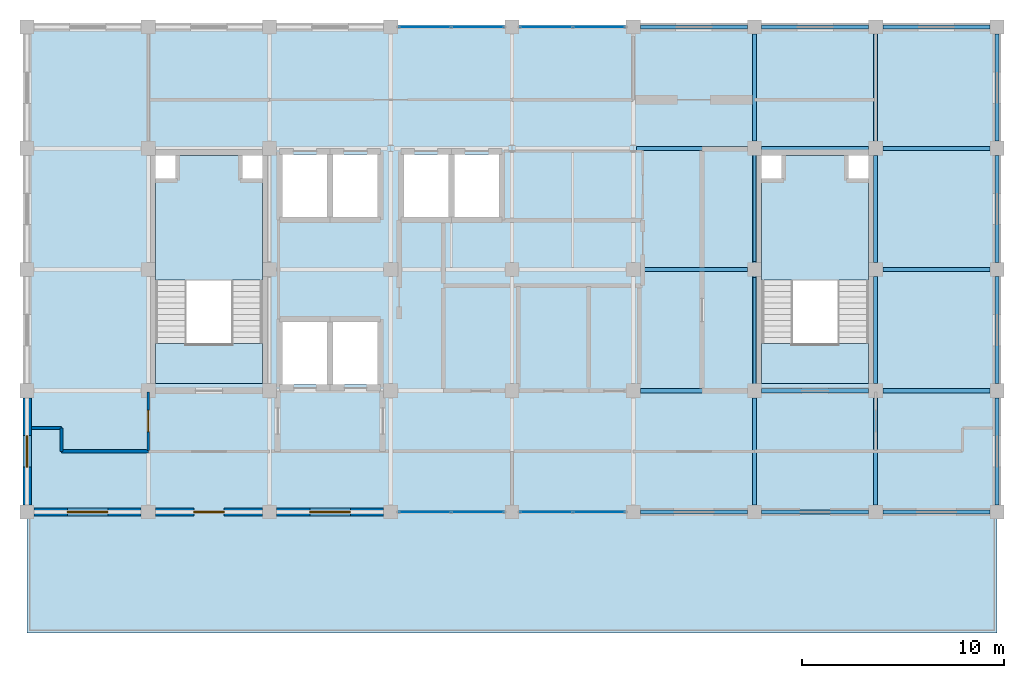
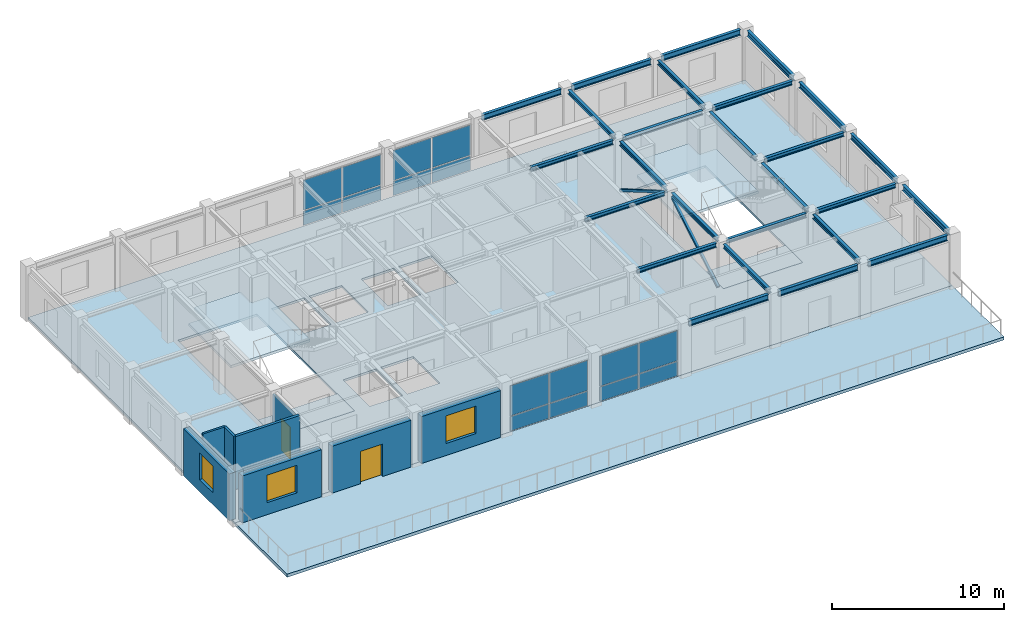
# One storey, part 7 of 11: 26 beams, 16 plates, 8 walls, 6 slabs, 3 windows, 2 doors, 2 members, 5 openings, 6 elements without a shape of their own.
"""IFC4 building model written with IfcOpenShell, lengths in metres."""

import ifcopenshell
import ifcopenshell.guid

model = None  # the IFC model being written
_history = None  # IfcOwnerHistory: only IFC2X3 demands one
_inside = {}  # id of a spatial element -> (the spatial element, [elements in it])
_under = {}  # id of a project, library or spatial element -> (it, [spatial elements below it])
_declared = {}  # id of a project -> (the project, [libraries it declares])
_typed = {}  # id of a type object -> (the type object, [elements of that type])
_made_of = {}  # id of a material, layer set ... -> (it, [elements and type objects made of it])


def new_model(schema):
    """Start an empty IFC model of exactly this schema.

    Asked for "IFC4X3", IfcOpenShell would pick the latest addendum, in which some entities
    have other attributes; the version numbers below select the first issue.
    IFC2X3 requires an IfcOwnerHistory on every rooted entity: one is made here for all.
    """
    global model, _history
    if schema == "IFC4X3":
        model = ifcopenshell.file(schema_version=(4, 3, 0, 0))
    else:
        model = ifcopenshell.file(schema=schema)
    _inside.clear()
    _under.clear()
    _declared.clear()
    _typed.clear()
    _made_of.clear()
    _history = None
    if model.schema == "IFC2X3":
        org = make("IfcOrganization", Name="unknown")
        user = make(
            "IfcPersonAndOrganization",
            ThePerson=make("IfcPerson", FamilyName="unknown"),
            TheOrganization=org,
        )
        app = make(
            "IfcApplication",
            ApplicationDeveloper=org,
            Version="unknown",
            ApplicationFullName="unknown",
            ApplicationIdentifier="unknown",
        )
        _history = make(
            "IfcOwnerHistory",
            OwningUser=user,
            OwningApplication=app,
            ChangeAction="ADDED",
            CreationDate=0,
        )
    return model


def make(cls, **values):
    """One entity of the class cls with the attributes given. An attribute that is None is left unset."""
    return model.create_entity(
        cls, **{name: value for name, value in values.items() if value is not None}
    )


def rooted(cls, **values):
    """An entity with a GlobalId (a new one), such as an element, a storey or a relation."""
    return make(cls, GlobalId=ifcopenshell.guid.new(), OwnerHistory=_history, **values)


def si_unit(unit_type, name, prefix=None):
    """IfcSIUnit, for example si_unit("LENGTHUNIT", "METRE", prefix="MILLI")."""
    return make("IfcSIUnit", UnitType=unit_type, Prefix=prefix, Name=name)


def assignment(units):
    """IfcUnitAssignment: the units of a project."""
    return None if units is None else make("IfcUnitAssignment", Units=units)


def point(xyz):
    """IfcCartesianPoint."""
    return None if xyz is None else make("IfcCartesianPoint", Coordinates=xyz)


def direction(xyz):
    """IfcDirection."""
    return None if xyz is None else make("IfcDirection", DirectionRatios=xyz)


def frame(location, z_axis=None, x_axis=None):
    """IfcAxis2Placement3D, a coordinate frame: its origin and axes. An axis left out is left unset."""
    return make(
        "IfcAxis2Placement3D",
        Location=point(location),
        Axis=direction(z_axis),
        RefDirection=direction(x_axis),
    )


def frame_2d(location, x_axis=None):
    """IfcAxis2Placement2D, a coordinate frame in the plane: its origin and x axis."""
    return make(
        "IfcAxis2Placement2D", Location=point(location), RefDirection=direction(x_axis)
    )


def origin():
    """The frame at (0, 0, 0) with its axes left unset."""
    return frame((0.0, 0.0, 0.0))


def origin_2d():
    """The frame at (0, 0) in the plane with its x axis left unset."""
    return frame_2d((0.0, 0.0))


def place(relative_to, where):
    """IfcLocalPlacement: puts the frame where relative to a parent placement (None: the world)."""
    return make(
        "IfcLocalPlacement", PlacementRelTo=relative_to, RelativePlacement=where
    )


def context(
    kind, dimensions, precision=None, world=None, true_north=None, identifier=None
):
    """IfcGeometricRepresentationContext, for example the 3D "Model" context."""
    return make(
        "IfcGeometricRepresentationContext",
        ContextIdentifier=identifier,
        ContextType=kind,
        CoordinateSpaceDimension=dimensions,
        Precision=precision,
        WorldCoordinateSystem=world,
        TrueNorth=true_north,
    )


def subcontext(parent, identifier, kind, view, scale=None):
    """IfcGeometricRepresentationSubContext, for example "Body" below "Model"."""
    return make(
        "IfcGeometricRepresentationSubContext",
        ContextIdentifier=identifier,
        ContextType=kind,
        ParentContext=parent,
        TargetScale=scale,
        TargetView=view,
    )


def project(units=None, contexts=None):
    """IfcProject with its units and contexts."""
    return rooted(
        "IfcProject",
        Name="project",
        RepresentationContexts=contexts,
        UnitsInContext=assignment(units),
    )


def spatial(cls, under=None, at=None, **own):
    """A site, building, storey or space (cls), placed at a placement, below another one or the project."""
    s = rooted(cls, ObjectPlacement=at, **own)
    if under is not None:
        _under.setdefault(under.id(), (under, []))[1].append(s)
    return s


def polyline(points):
    """IfcPolyline through the points."""
    return make("IfcPolyline", Points=[point(p) for p in points])


def profile(cls, at=None, kind="AREA", **sizes):
    """A parametric profile (cls). Its sizes go by their IFC names, for example OverallWidth=200.0."""
    return make(cls, ProfileType=kind, Position=at, **sizes)


def rectangle(**sizes):
    """IfcRectangleProfileDef."""
    return profile("IfcRectangleProfileDef", **sizes)


def hollow_rectangle(**sizes):
    """IfcRectangleHollowProfileDef."""
    return profile("IfcRectangleHollowProfileDef", **sizes)


def i_section(**sizes):
    """IfcIShapeProfileDef."""
    return profile("IfcIShapeProfileDef", **sizes)


def outline(outer, holes=None, kind="AREA"):
    """IfcArbitraryClosedProfileDef: a profile drawn as a closed curve; with holes, ...WithVoids."""
    if holes is None:
        return make("IfcArbitraryClosedProfileDef", ProfileType=kind, OuterCurve=outer)
    return make(
        "IfcArbitraryProfileDefWithVoids",
        ProfileType=kind,
        OuterCurve=outer,
        InnerCurves=holes,
    )


def extrude(swept, where, along, depth):
    """IfcExtrudedAreaSolid: the profile swept, set in the frame where, extruded along a direction by depth."""
    return make(
        "IfcExtrudedAreaSolid",
        SweptArea=swept,
        Position=where,
        ExtrudedDirection=direction(along),
        Depth=depth,
    )


def shape(context_of_items, identifier, shape_type, items):
    """IfcShapeRepresentation: the items that make up one representation, for example the "Body"."""
    return make(
        "IfcShapeRepresentation",
        ContextOfItems=context_of_items,
        RepresentationIdentifier=identifier,
        RepresentationType=shape_type,
        Items=items,
    )


def material(Name=None, Category=None):
    """IfcMaterial."""
    return make("IfcMaterial", Name=Name, Category=Category)


def layer(
    of_material, thickness, ventilated=None, Name=None, Category=None, Priority=None
):
    """IfcMaterialLayer: one layer of a wall or slab, of a material (None: an air gap)."""
    return make(
        "IfcMaterialLayer",
        Material=of_material,
        LayerThickness=thickness,
        IsVentilated=ventilated,
        Name=Name,
        Category=Category,
        Priority=Priority,
    )


def layer_set(layers, Name=None):
    """IfcMaterialLayerSet."""
    return make("IfcMaterialLayerSet", MaterialLayers=layers, LayerSetName=Name)


def material_profile(
    of_material, cross_section, Name=None, Category=None, Priority=None
):
    """IfcMaterialProfile: a cross section and its material."""
    return make(
        "IfcMaterialProfile",
        Name=Name,
        Material=of_material,
        Profile=cross_section,
        Priority=Priority,
        Category=Category,
    )


def profile_set(profiles, Name=None, composite=None):
    """IfcMaterialProfileSet."""
    return make(
        "IfcMaterialProfileSet",
        Name=Name,
        MaterialProfiles=profiles,
        CompositeProfile=composite,
    )


def made_of(thing, what):
    """Note that an element or type object is made of a material, layer set ...; save() writes the relation."""
    if what is not None:
        _made_of.setdefault(what.id(), (what, []))[1].append(thing)
    return thing


def type_object(cls, material=None, **own):
    """A type object (cls), such as IfcWallType, which elements share."""
    return made_of(rooted(cls, **own), material)


def element(
    cls,
    number,
    at=None,
    inside=None,
    cuts=None,
    type_object=None,
    material=None,
    context=None,
    identifier="Body",
    shape_type=None,
    held_by="IfcProductDefinitionShape",
    body=None,
    shapes=None,
    **own,
):
    """One element of the class cls, such as IfcWall. Its Tag is "e" and its number.

    at: its placement. inside: the storey or other place that contains it. cuts: it is an
    opening in that element (IfcRelVoidsElement). A single representation is given by context,
    identifier, shape_type and body (its items); several are given by shapes. held_by: the class
    of the entity that holds the representations. save() writes the other relations.
    """
    e = rooted(cls, Tag="e%d" % number, ObjectPlacement=at, **own)
    if body is not None:
        shapes = [shape(context, identifier, shape_type, body)]
    if shapes is not None:
        e.Representation = make(held_by, Representations=shapes)
    if inside is not None:
        _inside.setdefault(inside.id(), (inside, []))[1].append(e)
    if cuts is not None:
        rooted(
            "IfcRelVoidsElement", RelatingBuildingElement=cuts, RelatedOpeningElement=e
        )
    if type_object is not None:
        _typed.setdefault(type_object.id(), (type_object, []))[1].append(e)
    return made_of(e, material)


def fill(opening, filler):
    """IfcRelFillsElement: the door or window that sits in an opening."""
    return rooted(
        "IfcRelFillsElement",
        RelatingOpeningElement=opening,
        RelatedBuildingElement=filler,
    )


def aggregate(whole, parts):
    """IfcRelAggregates: a whole, such as a stair, and the parts it consists of."""
    return rooted("IfcRelAggregates", RelatingObject=whole, RelatedObjects=parts)


def save(model, path):
    """Write the relations noted so far, then the file.

    IfcRelAggregates (storeys below a building ...), IfcRelContainedInSpatialStructure (elements
    in a storey), IfcRelDefinesByType, IfcRelAssociatesMaterial and IfcRelDeclares: one each for
    every whole, place, type object, material and project.
    """
    for whole, parts in _under.values():
        aggregate(whole, parts)
    for where, things in _inside.values():
        rooted(
            "IfcRelContainedInSpatialStructure",
            RelatedElements=things,
            RelatingStructure=where,
        )
    for kind, things in _typed.values():
        rooted("IfcRelDefinesByType", RelatedObjects=things, RelatingType=kind)
    for what, things in _made_of.values():
        rooted("IfcRelAssociatesMaterial", RelatedObjects=things, RelatingMaterial=what)
    for by, libraries in _declared.values():
        rooted("IfcRelDeclares", RelatingContext=by, RelatedDefinitions=libraries)
    model.write(path)


model = new_model("IFC4")

# Units and contexts
model_context = context("Model", 3, precision=1e-05, world=origin(), true_north=direction((0.0, 1.0)))
body_context = subcontext(model_context, "Body", "Model", "MODEL_VIEW")
ifc_project = project(units=[si_unit("LENGTHUNIT", "METRE"), si_unit("AREAUNIT", "SQUARE_METRE"), si_unit("VOLUMEUNIT", "CUBIC_METRE"), si_unit("PLANEANGLEUNIT", "RADIAN"), si_unit("MASSUNIT", "GRAM", prefix="KILO")], contexts=[model_context])

# Site, building, storey
site_placement = place(None, origin())
site = spatial("IfcSite", under=ifc_project, at=site_placement, CompositionType="ELEMENT")
building_placement = place(site_placement, origin())
building = spatial("IfcBuilding", under=site, at=building_placement, Name="Zlatovratsky Civic Hall", CompositionType="ELEMENT")
storey_placement = place(building_placement, frame((0.0, 0.0, 52.199951171875)))
storey = spatial("IfcBuildingStorey", under=building, at=storey_placement, Name="L13", CompositionType="ELEMENT", Elevation=52.199951171875)

# Beams
ifc_material_1 = material(Name="Steel S355", Category="steel")
ifc_material_profile_1 = material_profile(ifc_material_1, i_section(OverallWidth=0.199951171875, OverallDepth=0.39990234375, WebThickness=0.008056640625, FlangeThickness=0.012939453125, FilletRadius=0.014892578125, at=origin_2d()), Name="40B2")
ifc_profile_set_1 = profile_set([ifc_material_profile_1], Name="Steel S355")
beam_type_1 = type_object("IfcBeamType", Name="Beam_Spandrel_40B2", PredefinedType="SPANDREL", material=ifc_profile_set_1)
for number, where, z_axis, x_axis, name in (
    (1, (90.35009765625, 78.0, 3.5400390625), (1.0, 0.0, 0.0), (0.0, 1.0, 0.0), "BM-4894"),
    (2, (96.35009765625, 78.0, 3.5400390625), (1.0, 0.0, 0.0), (0.0, 1.0, 0.0), "BM-4895"),
    (3, (102.35009765625, 78.0, 3.5400390625), (1.0, 0.0, 0.0), (0.0, 1.0, 0.0), "BM-4896"),
    (4, (90.35009765625, 102.0, 3.5400390625), (1.0, 0.0, 0.0), (0.0, 1.0, 0.0), "BM-4924"),
    (5, (96.35009765625, 102.0, 3.5400390625), (1.0, 0.0, 0.0), (0.0, 1.0, 0.0), "BM-4925"),
    (6, (102.35009765625, 102.0, 3.5400390625), (1.0, 0.0, 0.0), (0.0, 1.0, 0.0), "BM-4926"),
    (7, (108.0, 78.35009765625, 3.5400390625), (0.0, 1.0, 0.0), (-1.0, 0.0, 0.0), "BM-4959"),
    (8, (108.0, 84.35009765625, 3.5400390625), (0.0, 1.0, 0.0), (-1.0, 0.0, 0.0), "BM-4960"),
    (9, (108.0, 90.35009765625, 3.5400390625), (0.0, 1.0, 0.0), (-1.0, 0.0, 0.0), "BM-4961"),
    (10, (108.0, 96.35009765625, 3.5400390625), (0.0, 1.0, 0.0), (-1.0, 0.0, 0.0), "BM-4962"),
):
    element("IfcBeam", number, at=place(storey_placement, frame(where, z_axis=z_axis, x_axis=x_axis)), inside=storey, type_object=beam_type_1, Name=name, PredefinedType="SPANDREL", context=body_context, shape_type="SweptSolid", body=[
        extrude(i_section(OverallWidth=0.199951171875, OverallDepth=0.39990234375, WebThickness=0.008056640625, FlangeThickness=0.012939453125, FilletRadius=0.014892578125, at=origin_2d()), origin(), (0.0, 0.0, 1.0), 5.2998046875),
    ])
ifc_material_profile_2 = material_profile(ifc_material_1, i_section(OverallWidth=0.199951171875, OverallDepth=0.291015625, WebThickness=0.008056640625, FlangeThickness=0.010986328125, FilletRadius=0.01806640625, at=origin_2d()), Name="30Sh1")
ifc_profile_set_2 = profile_set([ifc_material_profile_2], Name="Steel S355")
beam_type_2 = type_object("IfcBeamType", Name="Beam_TowerHigh_30Sh1", PredefinedType="BEAM", material=ifc_profile_set_2)
for number, where, z_axis, x_axis, name in (
    (11, (90.35009765625, 84.0, 3.594482421875), (1.0, 0.0, 0.0), (0.0, 1.0, 0.0), "BM-4902"),
    (12, (96.35009765625, 84.0, 3.594482421875), (1.0, 0.0, 0.0), (0.0, 1.0, 0.0), "BM-4903"),
    (13, (102.35009765625, 84.0, 3.594482421875), (1.0, 0.0, 0.0), (0.0, 1.0, 0.0), "BM-4904"),
    (14, (90.35009765625, 90.0, 3.594482421875), (1.0, 0.0, 0.0), (0.0, 1.0, 0.0), "BM-4909"),
    (15, (102.35009765625, 90.0, 3.594482421875), (1.0, 0.0, 0.0), (0.0, 1.0, 0.0), "BM-4910"),
):
    element("IfcBeam", number, at=place(storey_placement, frame(where, z_axis=z_axis, x_axis=x_axis)), inside=storey, type_object=beam_type_2, Name=name, PredefinedType="BEAM", context=body_context, shape_type="SweptSolid", body=[
        extrude(i_section(OverallWidth=0.199951171875, OverallDepth=0.291015625, WebThickness=0.008056640625, FlangeThickness=0.010986328125, FilletRadius=0.01806640625, at=origin_2d()), origin(), (0.0, 0.0, 1.0), 5.2998046875),
    ])
beam_placement = place(storey_placement, frame((90.14990234375, 96.0, 3.594482421875), z_axis=(1.0, 0.0, 0.0), x_axis=(0.0, 1.0, 0.0)))
element("IfcBeam", 16, at=beam_placement, inside=storey, type_object=beam_type_2, Name="BM-4916", PredefinedType="BEAM", context=body_context, shape_type="SweptSolid", body=[
    extrude(i_section(OverallWidth=0.199951171875, OverallDepth=0.291015625, WebThickness=0.008056640625, FlangeThickness=0.010986328125, FilletRadius=0.01806640625, at=origin_2d()), origin(), (0.0, 0.0, 1.0), 5.5),
])
for number, where, z_axis, x_axis, name in (
    (17, (96.35009765625, 96.0, 3.594482421875), (1.0, 0.0, 0.0), (0.0, 1.0, 0.0), "BM-4917"),
    (18, (102.35009765625, 96.0, 3.594482421875), (1.0, 0.0, 0.0), (0.0, 1.0, 0.0), "BM-4918"),
    (19, (96.0, 78.35009765625, 3.594482421875), (0.0, 1.0, 0.0), (-1.0, 0.0, 0.0), "BM-4951"),
    (20, (96.0, 84.35009765625, 3.594482421875), (0.0, 1.0, 0.0), (-1.0, 0.0, 0.0), "BM-4952"),
    (21, (96.0, 90.35009765625, 3.594482421875), (0.0, 1.0, 0.0), (-1.0, 0.0, 0.0), "BM-4953"),
    (22, (96.0, 96.35009765625, 3.594482421875), (0.0, 1.0, 0.0), (-1.0, 0.0, 0.0), "BM-4954"),
    (23, (102.0, 78.35009765625, 3.594482421875), (0.0, 1.0, 0.0), (-1.0, 0.0, 0.0), "BM-4955"),
    (24, (102.0, 84.35009765625, 3.594482421875), (0.0, 1.0, 0.0), (-1.0, 0.0, 0.0), "BM-4956"),
    (25, (102.0, 90.35009765625, 3.594482421875), (0.0, 1.0, 0.0), (-1.0, 0.0, 0.0), "BM-4957"),
    (26, (102.0, 96.35009765625, 3.594482421875), (0.0, 1.0, 0.0), (-1.0, 0.0, 0.0), "BM-4958"),
):
    element("IfcBeam", number, at=place(storey_placement, frame(where, z_axis=z_axis, x_axis=x_axis)), inside=storey, type_object=beam_type_2, Name=name, PredefinedType="BEAM", context=body_context, shape_type="SweptSolid", body=[
        extrude(i_section(OverallWidth=0.199951171875, OverallDepth=0.291015625, WebThickness=0.008056640625, FlangeThickness=0.010986328125, FilletRadius=0.01806640625, at=origin_2d()), origin(), (0.0, 0.0, 1.0), 5.2998046875),
    ])

# Members
ifc_material_profile_3 = material_profile(ifc_material_1, hollow_rectangle(XDim=0.159912109375, YDim=0.159912109375, WallThickness=0.008056640625, at=origin_2d()), Name="SHS 160x160x8")
ifc_profile_set_3 = profile_set([ifc_material_profile_3], Name="Steel S355")
member_type = type_object("IfcMemberType", Name="Brace_TowerHigh_SHS160", PredefinedType="BRACE", material=ifc_profile_set_3)
for number, where, z_axis, x_axis, name in (
    (27, (96.0, 84.35009765625, 0.25), (0.0, 0.863172562464, 0.504909028845), (-1.0, 0.0, 0.0), "MB-0158"),
    (28, (96.0, 90.35009765625, 3.35009765625), (0.0, 0.863172562464, -0.504909028845), (-1.0, 0.0, 0.0), "MB-0159"),
):
    element("IfcMember", number, at=place(storey_placement, frame(where, z_axis=z_axis, x_axis=x_axis)), inside=storey, type_object=member_type, Name=name, PredefinedType="BRACE", context=body_context, shape_type="SweptSolid", body=[
        extrude(hollow_rectangle(XDim=0.159912109375, YDim=0.159912109375, WallThickness=0.008056640625, at=origin_2d()), origin(), (0.0, 0.0, 1.0), 6.139892578125),
    ])

# Curtain wall, plates
ifc_material_2 = material(Name="Anodised bronze aluminium", Category="aluminium")
ifc_layer_1 = layer(ifc_material_2, 0.159912109375)
ifc_layer_set_1 = layer_set([ifc_layer_1], Name="Anodised bronze aluminium")
curtain_wall_type = type_object("IfcCurtainWallType", Name="CurtainWall_Bronze_5300x3320_21", PredefinedType="NOTDEFINED", material=ifc_layer_set_1)
curtain_wall_1_placement = place(storey_placement, origin())
curtain_wall_1 = element("IfcCurtainWall", 29, at=curtain_wall_1_placement, inside=storey, type_object=curtain_wall_type, Name="CW-161", PredefinedType="NOTDEFINED")
ifc_material_3 = material(Name="Solar-control triple glazing", Category="glass")
ifc_layer_2 = layer(ifc_material_3, 0.028076171875)
ifc_layer_set_2 = layer_set([ifc_layer_2], Name="Solar-control triple glazing")
plate_type = type_object("IfcPlateType", Name="Panel_TowerTripleGlazing_28", PredefinedType="CURTAIN_PANEL", material=ifc_layer_set_2)
plate_1_placement = place(storey_placement, frame((79.68994140625, 78.0, 0.06005859375), z_axis=(0.0, 0.0, 1.0), x_axis=(1.0, 0.0, 0.0)))
plate_1 = element("IfcPlate", 30, at=plate_1_placement, type_object=plate_type, Name="CW-21 panel 1.1", PredefinedType="CURTAIN_PANEL", context=body_context, shape_type="SweptSolid", body=[
    extrude(rectangle(XDim=2.56005859375, YDim=0.028076171875, at=origin_2d()), origin(), (0.0, 0.0, 1.0), 1.010009765625),
])
plate_2_placement = place(storey_placement, frame((79.68994140625, 78.0, 1.130126953125), z_axis=(0.0, 0.0, 1.0), x_axis=(1.0, 0.0, 0.0)))
plate_2 = element("IfcPlate", 31, at=plate_2_placement, type_object=plate_type, Name="CW-21 panel 1.2", PredefinedType="CURTAIN_PANEL", context=body_context, shape_type="SweptSolid", body=[
    extrude(rectangle(XDim=2.56005859375, YDim=0.028076171875, at=origin_2d()), origin(), (0.0, 0.0, 1.0), 2.1298828125),
])
plate_3_placement = place(storey_placement, frame((82.31005859375, 78.0, 0.06005859375), z_axis=(0.0, 0.0, 1.0), x_axis=(1.0, 0.0, 0.0)))
plate_3 = element("IfcPlate", 32, at=plate_3_placement, type_object=plate_type, Name="CW-21 panel 2.1", PredefinedType="CURTAIN_PANEL", context=body_context, shape_type="SweptSolid", body=[
    extrude(rectangle(XDim=2.56005859375, YDim=0.028076171875, at=origin_2d()), origin(), (0.0, 0.0, 1.0), 1.010009765625),
])
plate_4_placement = place(storey_placement, frame((82.31005859375, 78.0, 1.130126953125), z_axis=(0.0, 0.0, 1.0), x_axis=(1.0, 0.0, 0.0)))
plate_4 = element("IfcPlate", 33, at=plate_4_placement, type_object=plate_type, Name="CW-21 panel 2.2", PredefinedType="CURTAIN_PANEL", context=body_context, shape_type="SweptSolid", body=[
    extrude(rectangle(XDim=2.56005859375, YDim=0.028076171875, at=origin_2d()), origin(), (0.0, 0.0, 1.0), 2.1298828125),
])
aggregate(curtain_wall_1, [plate_1, plate_2, plate_3, plate_4])

curtain_wall_2_placement = place(storey_placement, origin())
curtain_wall_2 = element("IfcCurtainWall", 34, at=curtain_wall_2_placement, inside=storey, type_object=curtain_wall_type, Name="CW-162", PredefinedType="NOTDEFINED")
plate_5_placement = place(storey_placement, frame((85.68994140625, 78.0, 0.06005859375), z_axis=(0.0, 0.0, 1.0), x_axis=(1.0, 0.0, 0.0)))
plate_5 = element("IfcPlate", 35, at=plate_5_placement, type_object=plate_type, Name="CW-21 panel 1.1", PredefinedType="CURTAIN_PANEL", context=body_context, shape_type="SweptSolid", body=[
    extrude(rectangle(XDim=2.56005859375, YDim=0.028076171875, at=origin_2d()), origin(), (0.0, 0.0, 1.0), 1.010009765625),
])
plate_6_placement = place(storey_placement, frame((85.68994140625, 78.0, 1.130126953125), z_axis=(0.0, 0.0, 1.0), x_axis=(1.0, 0.0, 0.0)))
plate_6 = element("IfcPlate", 36, at=plate_6_placement, type_object=plate_type, Name="CW-21 panel 1.2", PredefinedType="CURTAIN_PANEL", context=body_context, shape_type="SweptSolid", body=[
    extrude(rectangle(XDim=2.56005859375, YDim=0.028076171875, at=origin_2d()), origin(), (0.0, 0.0, 1.0), 2.1298828125),
])
plate_7_placement = place(storey_placement, frame((88.31005859375, 78.0, 0.06005859375), z_axis=(0.0, 0.0, 1.0), x_axis=(1.0, 0.0, 0.0)))
plate_7 = element("IfcPlate", 37, at=plate_7_placement, type_object=plate_type, Name="CW-21 panel 2.1", PredefinedType="CURTAIN_PANEL", context=body_context, shape_type="SweptSolid", body=[
    extrude(rectangle(XDim=2.56005859375, YDim=0.028076171875, at=origin_2d()), origin(), (0.0, 0.0, 1.0), 1.010009765625),
])
plate_8_placement = place(storey_placement, frame((88.31005859375, 78.0, 1.130126953125), z_axis=(0.0, 0.0, 1.0), x_axis=(1.0, 0.0, 0.0)))
plate_8 = element("IfcPlate", 38, at=plate_8_placement, type_object=plate_type, Name="CW-21 panel 2.2", PredefinedType="CURTAIN_PANEL", context=body_context, shape_type="SweptSolid", body=[
    extrude(rectangle(XDim=2.56005859375, YDim=0.028076171875, at=origin_2d()), origin(), (0.0, 0.0, 1.0), 2.1298828125),
])
aggregate(curtain_wall_2, [plate_5, plate_6, plate_7, plate_8])

curtain_wall_3_placement = place(storey_placement, origin())
curtain_wall_3 = element("IfcCurtainWall", 39, at=curtain_wall_3_placement, inside=storey, type_object=curtain_wall_type, Name="CW-163", PredefinedType="NOTDEFINED")
plate_9_placement = place(storey_placement, frame((79.68994140625, 102.0, 0.06005859375), z_axis=(0.0, 0.0, 1.0), x_axis=(1.0, 0.0, 0.0)))
plate_9 = element("IfcPlate", 40, at=plate_9_placement, type_object=plate_type, Name="CW-21 panel 1.1", PredefinedType="CURTAIN_PANEL", context=body_context, shape_type="SweptSolid", body=[
    extrude(rectangle(XDim=2.56005859375, YDim=0.028076171875, at=origin_2d()), origin(), (0.0, 0.0, 1.0), 1.010009765625),
])
plate_10_placement = place(storey_placement, frame((79.68994140625, 102.0, 1.130126953125), z_axis=(0.0, 0.0, 1.0), x_axis=(1.0, 0.0, 0.0)))
plate_10 = element("IfcPlate", 41, at=plate_10_placement, type_object=plate_type, Name="CW-21 panel 1.2", PredefinedType="CURTAIN_PANEL", context=body_context, shape_type="SweptSolid", body=[
    extrude(rectangle(XDim=2.56005859375, YDim=0.028076171875, at=origin_2d()), origin(), (0.0, 0.0, 1.0), 2.1298828125),
])
plate_11_placement = place(storey_placement, frame((82.31005859375, 102.0, 0.06005859375), z_axis=(0.0, 0.0, 1.0), x_axis=(1.0, 0.0, 0.0)))
plate_11 = element("IfcPlate", 42, at=plate_11_placement, type_object=plate_type, Name="CW-21 panel 2.1", PredefinedType="CURTAIN_PANEL", context=body_context, shape_type="SweptSolid", body=[
    extrude(rectangle(XDim=2.56005859375, YDim=0.028076171875, at=origin_2d()), origin(), (0.0, 0.0, 1.0), 1.010009765625),
])
plate_12_placement = place(storey_placement, frame((82.31005859375, 102.0, 1.130126953125), z_axis=(0.0, 0.0, 1.0), x_axis=(1.0, 0.0, 0.0)))
plate_12 = element("IfcPlate", 43, at=plate_12_placement, type_object=plate_type, Name="CW-21 panel 2.2", PredefinedType="CURTAIN_PANEL", context=body_context, shape_type="SweptSolid", body=[
    extrude(rectangle(XDim=2.56005859375, YDim=0.028076171875, at=origin_2d()), origin(), (0.0, 0.0, 1.0), 2.1298828125),
])
aggregate(curtain_wall_3, [plate_9, plate_10, plate_11, plate_12])

curtain_wall_4_placement = place(storey_placement, origin())
curtain_wall_4 = element("IfcCurtainWall", 44, at=curtain_wall_4_placement, inside=storey, type_object=curtain_wall_type, Name="CW-164", PredefinedType="NOTDEFINED")
plate_13_placement = place(storey_placement, frame((85.68994140625, 102.0, 0.06005859375), z_axis=(0.0, 0.0, 1.0), x_axis=(1.0, 0.0, 0.0)))
plate_13 = element("IfcPlate", 45, at=plate_13_placement, type_object=plate_type, Name="CW-21 panel 1.1", PredefinedType="CURTAIN_PANEL", context=body_context, shape_type="SweptSolid", body=[
    extrude(rectangle(XDim=2.56005859375, YDim=0.028076171875, at=origin_2d()), origin(), (0.0, 0.0, 1.0), 1.010009765625),
])
plate_14_placement = place(storey_placement, frame((85.68994140625, 102.0, 1.130126953125), z_axis=(0.0, 0.0, 1.0), x_axis=(1.0, 0.0, 0.0)))
plate_14 = element("IfcPlate", 46, at=plate_14_placement, type_object=plate_type, Name="CW-21 panel 1.2", PredefinedType="CURTAIN_PANEL", context=body_context, shape_type="SweptSolid", body=[
    extrude(rectangle(XDim=2.56005859375, YDim=0.028076171875, at=origin_2d()), origin(), (0.0, 0.0, 1.0), 2.1298828125),
])
plate_15_placement = place(storey_placement, frame((88.31005859375, 102.0, 0.06005859375), z_axis=(0.0, 0.0, 1.0), x_axis=(1.0, 0.0, 0.0)))
plate_15 = element("IfcPlate", 47, at=plate_15_placement, type_object=plate_type, Name="CW-21 panel 2.1", PredefinedType="CURTAIN_PANEL", context=body_context, shape_type="SweptSolid", body=[
    extrude(rectangle(XDim=2.56005859375, YDim=0.028076171875, at=origin_2d()), origin(), (0.0, 0.0, 1.0), 1.010009765625),
])
plate_16_placement = place(storey_placement, frame((88.31005859375, 102.0, 1.130126953125), z_axis=(0.0, 0.0, 1.0), x_axis=(1.0, 0.0, 0.0)))
plate_16 = element("IfcPlate", 48, at=plate_16_placement, type_object=plate_type, Name="CW-21 panel 2.2", PredefinedType="CURTAIN_PANEL", context=body_context, shape_type="SweptSolid", body=[
    extrude(rectangle(XDim=2.56005859375, YDim=0.028076171875, at=origin_2d()), origin(), (0.0, 0.0, 1.0), 2.1298828125),
])
aggregate(curtain_wall_4, [plate_13, plate_14, plate_15, plate_16])

# Slabs
ifc_material_4 = material(Name="Concrete C30/37 (B35)", Category="concrete")
ifc_layer_3 = layer(ifc_material_4, 0.239990234375)
ifc_layer_set_3 = layer_set([ifc_layer_3], Name="Concrete C30/37 (B35)")
slab_type_1 = type_object("IfcSlabType", Name="Slab_CivicPodiumFloor_240", PredefinedType="FLOOR", material=ifc_layer_set_3)
slab_1_placement = place(storey_placement, frame((0.0, 0.0, -0.239990234375)))
element("IfcSlab", 49, at=slab_1_placement, inside=storey, type_object=slab_type_1, Name="SL-074", PredefinedType="FLOOR", context=body_context, shape_type="SweptSolid", body=[
    extrude(outline(polyline([(66.35009765625, 84.35009765625), (71.64990234375, 84.35009765625), (71.64990234375, 86.35009765625), (66.35009765625, 86.35009765625), (66.35009765625, 84.35009765625)])), origin(), (0.0, 0.0, 1.0), 0.239990234375),
])
slab_2_placement = place(storey_placement, frame((0.0, 0.0, -0.239990234375)))
element("IfcSlab", 50, at=slab_2_placement, inside=storey, type_object=slab_type_1, Name="SL-075", PredefinedType="FLOOR", context=body_context, shape_type="SweptSolid", body=[
    extrude(outline(polyline([(96.35009765625, 84.35009765625), (101.64990234375, 84.35009765625), (101.64990234375, 86.35009765625), (96.35009765625, 86.35009765625), (96.35009765625, 84.35009765625)])), origin(), (0.0, 0.0, 1.0), 0.239990234375),
])
ifc_layer_4 = layer(ifc_material_4, 0.219970703125)
ifc_layer_set_4 = layer_set([ifc_layer_4], Name="Concrete C30/37 (B35)")
slab_type_2 = type_object("IfcSlabType", Name="Slab_OutdoorStoneTerrace_220", PredefinedType="FLOOR", material=ifc_layer_set_4)
slab_3_placement = place(storey_placement, frame((0.0, 0.0, -0.219970703125)))
element("IfcSlab", 51, at=slab_3_placement, inside=storey, type_object=slab_type_2, Name="SL-076", PredefinedType="FLOOR", context=body_context, shape_type="SweptSolid", body=[
    extrude(outline(polyline([(60.0, 72.0), (108.0, 72.0), (108.0, 78.0), (60.0, 78.0), (60.0, 72.0)])), origin(), (0.0, 0.0, 1.0), 0.219970703125),
])

# Stair, slab
stair_type = type_object("IfcStairType", Name="Stair_HALF_24R_1550W_04", PredefinedType="HALF_TURN_STAIR", material=ifc_material_4)
stair_1_placement = place(storey_placement, origin())
stair_1 = element("IfcStair", 52, at=stair_1_placement, inside=storey, type_object=stair_type, Name="ST-014", PredefinedType="HALF_TURN_STAIR")
ifc_layer_5 = layer(ifc_material_4, 0.179931640625)
ifc_layer_set_5 = layer_set([ifc_layer_5], Name="Concrete C30/37 (B35)")
slab_type_3 = type_object("IfcSlabType", Name="Slab_StairLanding_180", PredefinedType="LANDING", material=ifc_layer_set_5)
slab_4_placement = place(storey_placement, frame((0.0, 0.0, 1.77001953125)))
slab_4 = element("IfcSlab", 53, at=slab_4_placement, type_object=slab_type_3, Name="SL-LD-14", PredefinedType="LANDING", context=body_context, shape_type="SweptSolid", body=[
    extrude(outline(polyline([(66.35009765625, 89.485107421875), (71.64990234375, 89.485107421875), (71.64990234375, 94.39990234375), (70.550048828125, 94.39990234375), (70.550048828125, 95.64990234375), (67.449951171875, 95.64990234375), (67.449951171875, 94.39990234375), (66.35009765625, 94.39990234375), (66.35009765625, 89.485107421875)])), origin(), (0.0, 0.0, 1.0), 0.179931640625),
])
aggregate(stair_1, [slab_4])

stair_2_placement = place(storey_placement, origin())
stair_2 = element("IfcStair", 54, at=stair_2_placement, inside=storey, type_object=stair_type, Name="ST-033", PredefinedType="HALF_TURN_STAIR")
slab_5_placement = place(storey_placement, frame((0.0, 0.0, 1.77001953125)))
slab_5 = element("IfcSlab", 55, at=slab_5_placement, type_object=slab_type_3, Name="SL-LD-33", PredefinedType="LANDING", context=body_context, shape_type="SweptSolid", body=[
    extrude(outline(polyline([(96.35009765625, 89.485107421875), (101.64990234375, 89.485107421875), (101.64990234375, 94.39990234375), (100.550048828125, 94.39990234375), (100.550048828125, 95.64990234375), (97.449951171875, 95.64990234375), (97.449951171875, 94.39990234375), (96.35009765625, 94.39990234375), (96.35009765625, 89.485107421875)])), origin(), (0.0, 0.0, 1.0), 0.179931640625),
])
aggregate(stair_2, [slab_5])

# Slab
ifc_layer_6 = layer(ifc_material_4, 0.159912109375)
ifc_layer_set_6 = layer_set([ifc_layer_6], Name="Concrete C30/37 (B35)")
slab_type_4 = type_object("IfcSlabType", Name="Slab_TowerCompositeFloor_160", PredefinedType="FLOOR", material=ifc_layer_set_6)
slab_6_placement = place(storey_placement, frame((0.0, 0.0, -0.159912109375)))
element("IfcSlab", 56, at=slab_6_placement, inside=storey, type_object=slab_type_4, Name="SL-073", PredefinedType="FLOOR", context=body_context, shape_type="SweptSolid", body=[
    extrude(outline(polyline([(60.0, 78.0), (108.0, 78.0), (108.0, 102.0), (60.0, 102.0), (60.0, 78.0)]), holes=[polyline([(66.35009765625, 84.35009765625), (71.64990234375, 84.35009765625), (71.64990234375, 95.64990234375), (66.35009765625, 95.64990234375), (66.35009765625, 84.35009765625)]), polyline([(96.35009765625, 84.35009765625), (101.64990234375, 84.35009765625), (101.64990234375, 95.64990234375), (96.35009765625, 95.64990234375), (96.35009765625, 84.35009765625)]), polyline([(72.64990234375, 84.300048828125), (74.85009765625, 84.300048828125), (74.85009765625, 87.39990234375), (72.64990234375, 87.39990234375), (72.64990234375, 84.300048828125)]), polyline([(75.14990234375, 84.300048828125), (77.35009765625, 84.300048828125), (77.35009765625, 87.39990234375), (75.14990234375, 87.39990234375), (75.14990234375, 84.300048828125)]), polyline([(72.64990234375, 92.60009765625), (74.85009765625, 92.60009765625), (74.85009765625, 95.699951171875), (72.64990234375, 95.699951171875), (72.64990234375, 92.60009765625)]), polyline([(75.14990234375, 92.60009765625), (77.35009765625, 92.60009765625), (77.35009765625, 95.699951171875), (75.14990234375, 95.699951171875), (75.14990234375, 92.60009765625)]), polyline([(78.64990234375, 92.60009765625), (80.85009765625, 92.60009765625), (80.85009765625, 95.699951171875), (78.64990234375, 95.699951171875), (78.64990234375, 92.60009765625)]), polyline([(81.14990234375, 92.60009765625), (83.35009765625, 92.60009765625), (83.35009765625, 95.699951171875), (81.14990234375, 95.699951171875), (81.14990234375, 92.60009765625)])]), origin(), (0.0, 0.0, 1.0), 0.159912109375),
])

# Wall
ifc_material_5 = material(Name="Acoustic ceramic blockwork", Category="masonry")
ifc_layer_7 = layer(ifc_material_5, 0.179931640625)
ifc_layer_set_7 = layer_set([ifc_layer_7], Name="Acoustic ceramic blockwork")
wall_type_1 = type_object("IfcWallType", Name="Wall_AcousticChamberPartition_180", PredefinedType="PARTITIONING", material=ifc_layer_set_7)
wall_1_placement = place(storey_placement, frame((61.699951171875, 81.0, 0.0), z_axis=(0.0, 0.0, 1.0), x_axis=(1.0, 0.0, 0.0)))
element("IfcWall", 57, at=wall_1_placement, inside=storey, type_object=wall_type_1, Name="WL-6634", PredefinedType="PARTITIONING", context=body_context, shape_type="SweptSolid", body=[
    extrude(rectangle(XDim=4.300048828125, YDim=0.179931640625, at=frame_2d((2.14990234375, 0.0))), origin(), (0.0, 0.0, 1.0), 3.739990234375),
])

# Wall, opening, door
ifc_material_6 = material(Name="Fire-rated gypsum board framing", Category="gypsum")
ifc_layer_8 = layer(ifc_material_6, 0.139892578125)
ifc_layer_set_8 = layer_set([ifc_layer_8], Name="Fire-rated gypsum board framing")
wall_type_2 = type_object("IfcWallType", Name="Wall_OfficePartition_140", PredefinedType="PARTITIONING", material=ifc_layer_set_8)
wall_2_placement = place(storey_placement, frame((66.0, 81.050048828125, 0.0), z_axis=(0.0, 0.0, 1.0), x_axis=(0.0, 1.0, 0.0)))
wall_2 = element("IfcWall", 58, at=wall_2_placement, inside=storey, type_object=wall_type_2, Name="WL-6620", PredefinedType="PARTITIONING", context=body_context, shape_type="SweptSolid", body=[
    extrude(rectangle(XDim=2.89990234375, YDim=0.139892578125, at=frame_2d((1.449951171875, 0.0))), origin(), (0.0, 0.0, 1.0), 3.448974609375),
])
opening_1_placement = place(wall_2_placement, frame((0.925048828125, 0.0, 0.0)))
opening_1 = element("IfcOpeningElement", 59, at=opening_1_placement, cuts=wall_2, Name="Opening D-24", PredefinedType="OPENING", context=body_context, shape_type="SweptSolid", body=[
    extrude(rectangle(XDim=1.050048828125, YDim=2.25, at=frame_2d((0.52490234375, 1.125))), frame((0.0, 0.0849609375, 0.0), z_axis=(0.0, -1.0, 0.0), x_axis=(1.0, 0.0, 0.0)), (0.0, 0.0, 1.0), 0.169677734375),
])
ifc_material_7 = material(Name="Solid oak joinery in steel frame", Category="steel")
door_type_1 = type_object("IfcDoorType", Name="Door_DirectorateOffice_1050x2250", OperationType="NOTDEFINED", PredefinedType="DOOR", material=ifc_material_7)
door_1_placement = place(opening_1_placement, origin())
door_1 = element("IfcDoor", 60, at=door_1_placement, inside=storey, type_object=door_type_1, Name="DR-5494", OperationType="SINGLE_SWING_RIGHT", OverallHeight=2.25, OverallWidth=1.050048828125, PredefinedType="DOOR", context=body_context, shape_type="SweptSolid", body=[
    extrude(rectangle(XDim=1.050048828125, YDim=2.25, at=frame_2d((0.52490234375, 1.125))), frame((0.0, 0.02490234375, 0.0), z_axis=(0.0, -1.0, 0.0), x_axis=(1.0, 0.0, 0.0)), (0.0, 0.0, 1.0), 0.050048828125),
])
fill(opening_1, door_1)

# Walls
wall_3_placement = place(storey_placement, frame((61.699951171875, 81.0, 0.0), z_axis=(0.0, 0.0, 1.0), x_axis=(0.0, 1.0, 0.0)))
element("IfcWall", 61, at=wall_3_placement, inside=storey, type_object=wall_type_2, Name="WL-6637", PredefinedType="PARTITIONING", context=body_context, shape_type="SweptSolid", body=[
    extrude(rectangle(XDim=1.14990234375, YDim=0.139892578125, at=frame_2d((0.574951171875, 0.0))), origin(), (0.0, 0.0, 1.0), 3.739990234375),
])
wall_4_placement = place(storey_placement, frame((61.699951171875, 82.14990234375, 0.0), z_axis=(0.0, 0.0, 1.0), x_axis=(-1.0, 0.0, 0.0)))
element("IfcWall", 62, at=wall_4_placement, inside=storey, type_object=wall_type_2, Name="WL-6638", PredefinedType="PARTITIONING", context=body_context, shape_type="SweptSolid", body=[
    extrude(rectangle(XDim=1.489990234375, YDim=0.139892578125, at=frame_2d((0.7451171875, 0.0))), origin(), (0.0, 0.0, 1.0), 3.739990234375),
])

# Wall, opening, window
ifc_layer_9 = layer(ifc_material_5, 0.280029296875, Name="Backing")
ifc_material_8 = material(Name="Podolsk limestone ashlar", Category="masonry")
ifc_layer_10 = layer(ifc_material_8, 0.139892578125, Name="Finish")
ifc_layer_set_9 = layer_set([ifc_layer_9, ifc_layer_10], Name="Acoustic ceramic blockwork")
wall_type_3 = type_object("IfcWallType", Name="Wall_TowerLimestoneAshlar_420", PredefinedType="SOLIDWALL", material=ifc_layer_set_9)
wall_5_placement = place(storey_placement, frame((60.35009765625, 78.0, 0.0), z_axis=(0.0, 0.0, 1.0), x_axis=(1.0, 0.0, 0.0)))
wall_5 = element("IfcWall", 63, at=wall_5_placement, inside=storey, type_object=wall_type_3, Name="WL-0589", PredefinedType="SOLIDWALL", context=body_context, shape_type="SweptSolid", body=[
    extrude(rectangle(XDim=5.2998046875, YDim=0.419921875, at=frame_2d((2.64990234375, 0.0))), origin(), (0.0, 0.0, 1.0), 3.320068359375),
])
opening_2_placement = place(wall_5_placement, frame((1.64990234375, 0.0, 0.85009765625)))
opening_2 = element("IfcOpeningElement", 64, at=opening_2_placement, cuts=wall_5, Name="Opening WN-20", PredefinedType="OPENING", context=body_context, shape_type="SweptSolid", body=[
    extrude(rectangle(XDim=2.0, YDim=1.949951171875, at=frame_2d((1.0, 0.97509765625))), frame((0.0, 0.224853515625, 0.0), z_axis=(0.0, -1.0, 0.0), x_axis=(1.0, 0.0, 0.0)), (0.0, 0.0, 1.0), 0.44970703125),
])
ifc_material_9 = material(Name="Low-E laminated double glazing", Category="glass")
window_type_1 = type_object("IfcWindowType", Name="Window_TowerTier3South_2000x1950", PartitioningType="SINGLE_PANEL", PredefinedType="WINDOW", material=ifc_material_9)
window_1_placement = place(opening_2_placement, origin())
window_1 = element("IfcWindow", 65, at=window_1_placement, inside=storey, type_object=window_type_1, Name="WN-0463", OverallHeight=1.949951171875, OverallWidth=2.0, PartitioningType="SINGLE_PANEL", PredefinedType="WINDOW", context=body_context, shape_type="SweptSolid", body=[
    extrude(rectangle(XDim=2.0, YDim=1.949951171875, at=frame_2d((1.0, 0.97509765625))), frame((0.0, 0.030029296875, 0.0), z_axis=(0.0, -1.0, 0.0), x_axis=(1.0, 0.0, 0.0)), (0.0, 0.0, 1.0), 0.06005859375),
])
fill(opening_2, window_1)

# Wall, opening, door
wall_6_placement = place(storey_placement, frame((66.35009765625, 78.0, 0.0), z_axis=(0.0, 0.0, 1.0), x_axis=(1.0, 0.0, 0.0)))
wall_6 = element("IfcWall", 66, at=wall_6_placement, inside=storey, type_object=wall_type_3, Name="WL-0590", PredefinedType="SOLIDWALL", context=body_context, shape_type="SweptSolid", body=[
    extrude(rectangle(XDim=5.2998046875, YDim=0.419921875, at=frame_2d((2.64990234375, 0.0))), origin(), (0.0, 0.0, 1.0), 3.320068359375),
])
opening_3_placement = place(wall_6_placement, frame((1.89990234375, 0.0, 0.0)))
opening_3 = element("IfcOpeningElement", 67, at=opening_3_placement, cuts=wall_6, Name="Opening D-08", PredefinedType="OPENING", context=body_context, shape_type="SweptSolid", body=[
    extrude(rectangle(XDim=1.5, YDim=2.300048828125, at=frame_2d((0.75, 1.14990234375))), frame((0.0, 0.224853515625, 0.0), z_axis=(0.0, -1.0, 0.0), x_axis=(1.0, 0.0, 0.0)), (0.0, 0.0, 1.0), 0.44970703125),
])
ifc_material_10 = material(Name="Monumental cast bronze glazed portal", Category="aluminium")
door_type_2 = type_object("IfcDoorType", Name="Door_SetbackTerrace_1500x2300", OperationType="DOUBLE_DOOR_SINGLE_SWING", PredefinedType="DOOR", material=ifc_material_10)
door_2_placement = place(opening_3_placement, origin())
door_2 = element("IfcDoor", 68, at=door_2_placement, inside=storey, type_object=door_type_2, Name="DR-0026", OperationType="DOUBLE_DOOR_SINGLE_SWING", OverallHeight=2.300048828125, OverallWidth=1.5, PredefinedType="DOOR", context=body_context, shape_type="SweptSolid", body=[
    extrude(rectangle(XDim=1.5, YDim=2.300048828125, at=frame_2d((0.75, 1.14990234375))), frame((0.0, 0.02490234375, 0.0), z_axis=(0.0, -1.0, 0.0), x_axis=(1.0, 0.0, 0.0)), (0.0, 0.0, 1.0), 0.050048828125),
])
fill(opening_3, door_2)

# Wall, opening, window
wall_7_placement = place(storey_placement, frame((72.35009765625, 78.0, 0.0), z_axis=(0.0, 0.0, 1.0), x_axis=(1.0, 0.0, 0.0)))
wall_7 = element("IfcWall", 69, at=wall_7_placement, inside=storey, type_object=wall_type_3, Name="WL-0591", PredefinedType="SOLIDWALL", context=body_context, shape_type="SweptSolid", body=[
    extrude(rectangle(XDim=5.2998046875, YDim=0.419921875, at=frame_2d((2.64990234375, 0.0))), origin(), (0.0, 0.0, 1.0), 3.320068359375),
])
opening_4_placement = place(wall_7_placement, frame((1.64990234375, 0.0, 0.85009765625)))
opening_4 = element("IfcOpeningElement", 70, at=opening_4_placement, cuts=wall_7, Name="Opening WN-20", PredefinedType="OPENING", context=body_context, shape_type="SweptSolid", body=[
    extrude(rectangle(XDim=2.0, YDim=1.949951171875, at=frame_2d((1.0, 0.97509765625))), frame((0.0, 0.224853515625, 0.0), z_axis=(0.0, -1.0, 0.0), x_axis=(1.0, 0.0, 0.0)), (0.0, 0.0, 1.0), 0.44970703125),
])
window_2_placement = place(opening_4_placement, origin())
window_2 = element("IfcWindow", 71, at=window_2_placement, inside=storey, type_object=window_type_1, Name="WN-0464", OverallHeight=1.949951171875, OverallWidth=2.0, PartitioningType="SINGLE_PANEL", PredefinedType="WINDOW", context=body_context, shape_type="SweptSolid", body=[
    extrude(rectangle(XDim=2.0, YDim=1.949951171875, at=frame_2d((1.0, 0.97509765625))), frame((0.0, 0.030029296875, 0.0), z_axis=(0.0, -1.0, 0.0), x_axis=(1.0, 0.0, 0.0)), (0.0, 0.0, 1.0), 0.06005859375),
])
fill(opening_4, window_2)

wall_8_placement = place(storey_placement, frame((60.0, 78.35009765625, 0.0), z_axis=(0.0, 0.0, 1.0), x_axis=(0.0, 1.0, 0.0)))
wall_8 = element("IfcWall", 72, at=wall_8_placement, inside=storey, type_object=wall_type_3, Name="WL-0601", PredefinedType="SOLIDWALL", context=body_context, shape_type="SweptSolid", body=[
    extrude(rectangle(XDim=5.2998046875, YDim=0.419921875, at=frame_2d((2.64990234375, 0.0))), origin(), (0.0, 0.0, 1.0), 3.320068359375),
])
opening_5_placement = place(wall_8_placement, frame((1.875, 0.0, 0.85009765625)))
opening_5 = element("IfcOpeningElement", 73, at=opening_5_placement, cuts=wall_8, Name="Opening WN-22", PredefinedType="OPENING", context=body_context, shape_type="SweptSolid", body=[
    extrude(rectangle(XDim=1.550048828125, YDim=1.89990234375, at=frame_2d((0.77490234375, 0.949951171875))), frame((0.0, 0.224853515625, 0.0), z_axis=(0.0, -1.0, 0.0), x_axis=(1.0, 0.0, 0.0)), (0.0, 0.0, 1.0), 0.44970703125),
])
window_type_2 = type_object("IfcWindowType", Name="Window_TowerTier3Flank_1550x1900", PartitioningType="SINGLE_PANEL", PredefinedType="WINDOW", material=ifc_material_9)
window_3_placement = place(opening_5_placement, origin())
window_3 = element("IfcWindow", 74, at=window_3_placement, inside=storey, type_object=window_type_2, Name="WN-0473", OverallHeight=1.89990234375, OverallWidth=1.550048828125, PartitioningType="SINGLE_PANEL", PredefinedType="WINDOW", context=body_context, shape_type="SweptSolid", body=[
    extrude(rectangle(XDim=1.550048828125, YDim=1.89990234375, at=frame_2d((0.77490234375, 0.949951171875))), frame((0.0, 0.030029296875, 0.0), z_axis=(0.0, -1.0, 0.0), x_axis=(1.0, 0.0, 0.0)), (0.0, 0.0, 1.0), 0.06005859375),
])
fill(opening_5, window_3)

save(model, "model.ifc")
